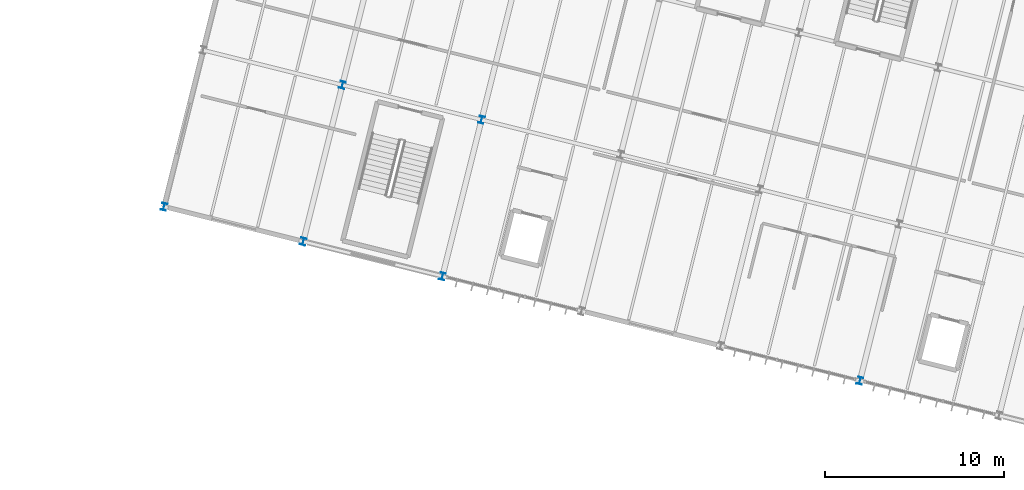
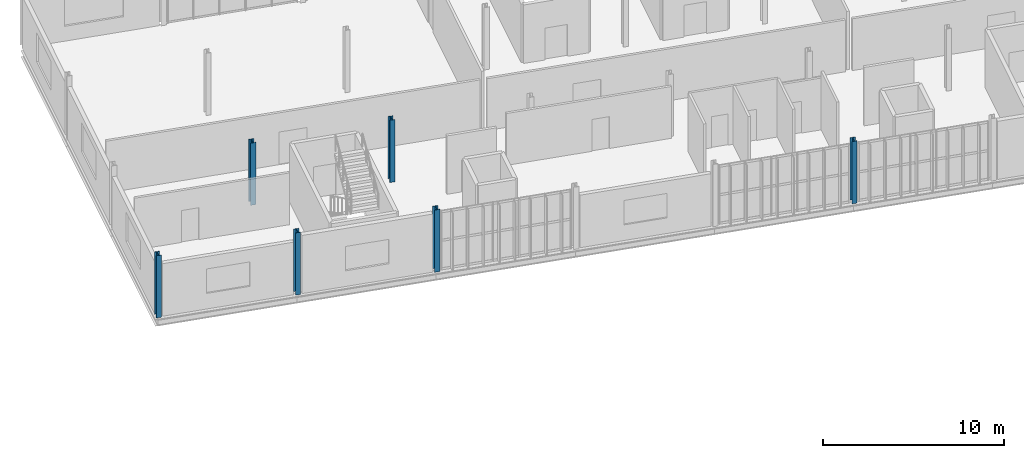
# One storey, part 3 of 61: 6 columns.
"""IFC4 building model written with IfcOpenShell, lengths in metres."""

from ifc_helpers import new_model, si_unit, derived_unit, direction, frame, origin, origin_2d, place, context, subcontext, project, spatial, i_section, extrude, material, material_profile, profile_set, type_object, element, save


model = new_model("IFC4")

# Units and contexts
model_context = context("Model", 3, precision=1e-05, world=origin(), true_north=direction((0.0, 1.0)))
body_context = subcontext(model_context, "Body", "Model", "MODEL_VIEW")
ifc_project = project(units=[si_unit("LENGTHUNIT", "METRE"), si_unit("AREAUNIT", "SQUARE_METRE"), si_unit("VOLUMEUNIT", "CUBIC_METRE"), si_unit("PLANEANGLEUNIT", "RADIAN"), si_unit("MASSUNIT", "GRAM", prefix="KILO"), si_unit("THERMODYNAMICTEMPERATUREUNIT", "KELVIN"), si_unit("TIMEUNIT", "SECOND"), derived_unit("THERMALTRANSMITTANCEUNIT", [(si_unit("MASSUNIT", "GRAM", prefix="KILO"), 1), (si_unit("THERMODYNAMICTEMPERATUREUNIT", "KELVIN"), -1), (si_unit("TIMEUNIT", "SECOND"), -3)])], contexts=[model_context])

# Site, building, storey
site_placement = place(None, origin())
site = spatial("IfcSite", under=ifc_project, at=site_placement, CompositionType="ELEMENT")
building_placement = place(site_placement, origin())
building = spatial("IfcBuilding", under=site, at=building_placement, Name="Cambertide Market Hall", CompositionType="ELEMENT")
storey_placement = place(building_placement, frame((0.0, 0.0, 9.89990234375)))
storey = spatial("IfcBuildingStorey", under=building, at=storey_placement, Name="L03", CompositionType="ELEMENT", Elevation=9.89990234375)

# Columns
ifc_material_1 = material(Name="Steel S355", Category="steel")
ifc_material_profile_1 = material_profile(ifc_material_1, i_section(OverallWidth=0.300048828125, OverallDepth=0.39990234375, WebThickness=0.013427734375, FlangeThickness=0.02392578125, FilletRadius=0.027099609375, at=origin_2d()), Name="HEB 400")
ifc_profile_set_1 = profile_set([ifc_material_profile_1], Name="Steel S355")
column_type_1 = type_object("IfcColumnType", Name="Exterior Steel Column HEB 400", PredefinedType="COLUMN", material=ifc_profile_set_1)
for number, where, z_axis, x_axis, name in (
    (1, (108.0, 100.0, 0.0), (0.0, 0.0, 1.0), (0.970142500145, -0.242535625038, 0.0), "Level 3 Column COL-V4-1-1-L03"),
    (2, (115.76123046875, 98.059814453125, 0.0), (0.0, 0.0, 1.0), (0.970142500145, -0.242535625038, 0.0), "Level 3 Column COL-V4-2-1-L03"),
    (3, (123.522216796875, 96.119384765625, 0.0), (0.0, 0.0, 1.0), (0.970142500145, -0.242535625038, 0.0), "Level 3 Column COL-V4-3-1-L03"),
    (4, (146.8056640625, 90.298583984375, 0.0), (0.0, 0.0, 1.0), (0.970142500145, -0.242535625038, 0.0), "Level 3 Column COL-V4-6-1-L03"),
):
    element("IfcColumn", number, at=place(storey_placement, frame(where, z_axis=z_axis, x_axis=x_axis)), inside=storey, type_object=column_type_1, Name=name, PredefinedType="COLUMN", context=body_context, shape_type="SweptSolid", body=[
        extrude(i_section(OverallWidth=0.300048828125, OverallDepth=0.39990234375, WebThickness=0.013427734375, FlangeThickness=0.02392578125, FilletRadius=0.027099609375, at=origin_2d()), origin(), (0.0, 0.0, 1.0), 4.2001953125),
    ])
ifc_material_2 = material(Name="Steel S355", Category="steel")
ifc_material_profile_2 = material_profile(ifc_material_2, i_section(OverallWidth=0.300048828125, OverallDepth=0.39990234375, WebThickness=0.013427734375, FlangeThickness=0.02392578125, FilletRadius=0.027099609375, at=origin_2d()), Name="HEB 400")
ifc_profile_set_2 = profile_set([ifc_material_profile_2], Name="Steel S355")
column_type_2 = type_object("IfcColumnType", Name="Steel Column HEB 400", PredefinedType="COLUMN", material=ifc_profile_set_2)
for number, where, z_axis, x_axis, name in (
    (5, (117.94384765625, 106.791015625, 0.0), (0.0, 0.0, 1.0), (0.970142500145, -0.242535625038, 0.0), "Level 3 Column COL-V4-2-2-L03"),
    (6, (125.705078125, 104.850830078125, 0.0), (0.0, 0.0, 1.0), (0.970142500145, -0.242535625038, 0.0), "Level 3 Column COL-V4-3-2-L03"),
):
    element("IfcColumn", number, at=place(storey_placement, frame(where, z_axis=z_axis, x_axis=x_axis)), inside=storey, type_object=column_type_2, Name=name, PredefinedType="COLUMN", context=body_context, shape_type="SweptSolid", body=[
        extrude(i_section(OverallWidth=0.300048828125, OverallDepth=0.39990234375, WebThickness=0.013427734375, FlangeThickness=0.02392578125, FilletRadius=0.027099609375, at=origin_2d()), origin(), (0.0, 0.0, 1.0), 4.2001953125),
    ])

save(model, "model.ifc")
